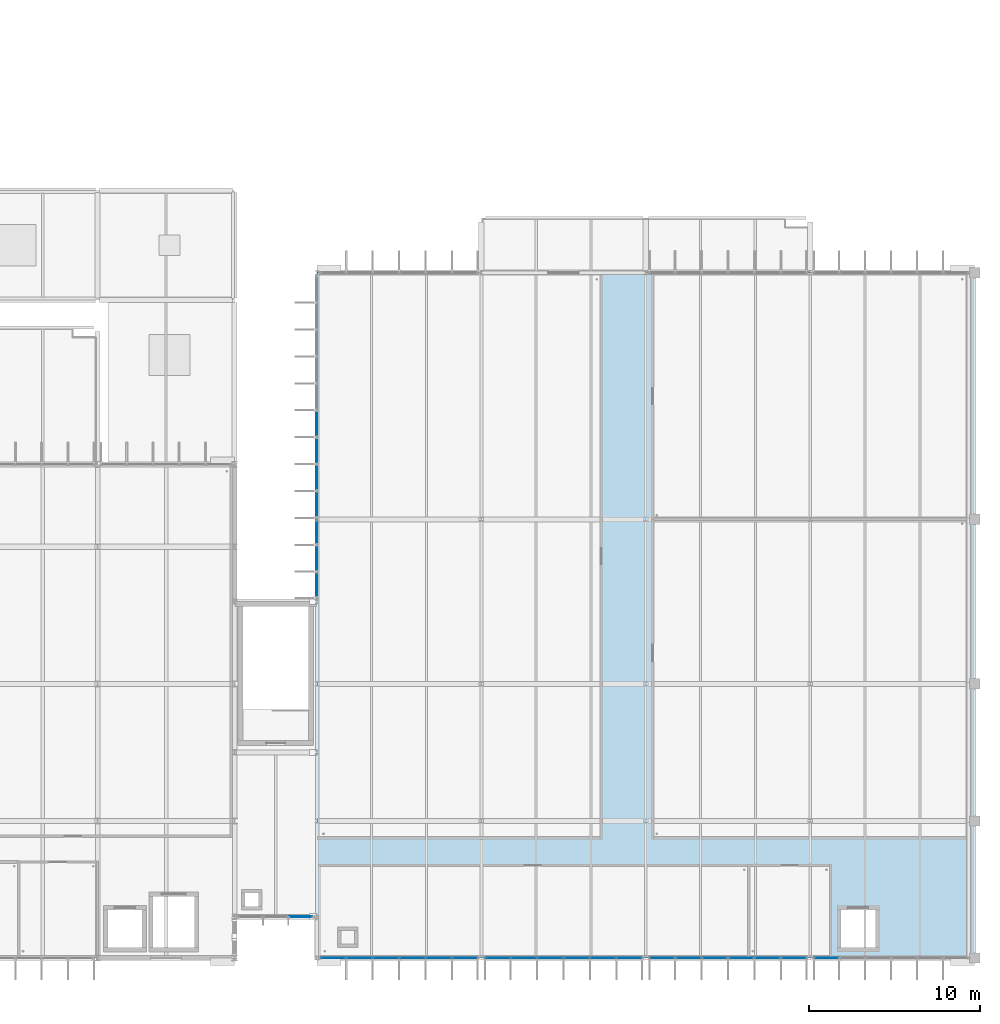
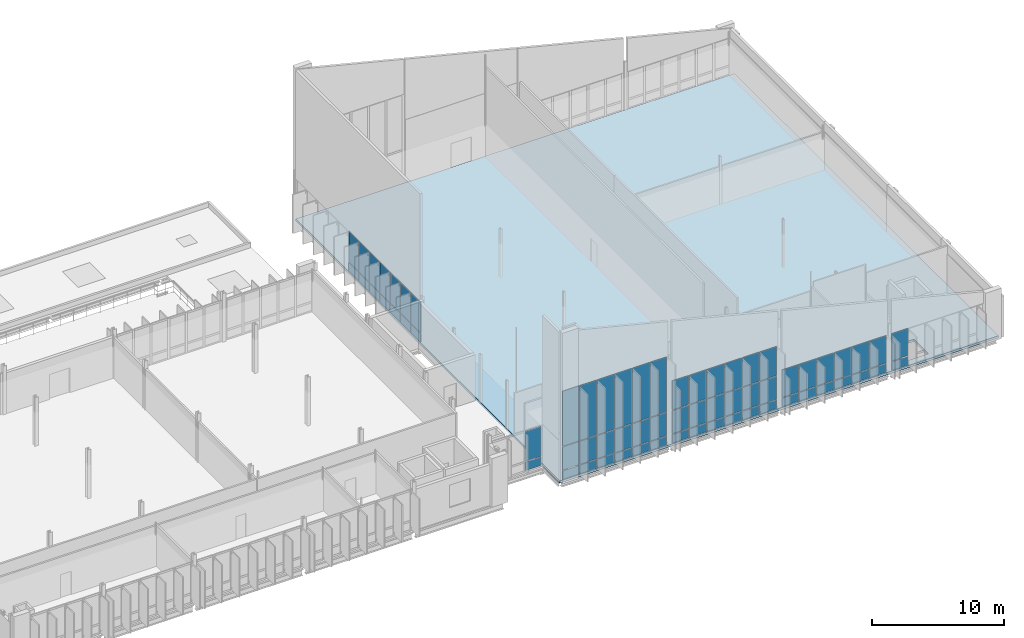
# One storey, part 57 of 110: 66 plates, 1 slab, 6 elements without a shape of their own.
"""IFC4 building model written with IfcOpenShell, lengths in metres."""

import ifcopenshell
import ifcopenshell.guid

model = None  # the IFC model being written
_history = None  # IfcOwnerHistory: only IFC2X3 demands one
_inside = {}  # id of a spatial element -> (the spatial element, [elements in it])
_under = {}  # id of a project, library or spatial element -> (it, [spatial elements below it])
_declared = {}  # id of a project -> (the project, [libraries it declares])
_typed = {}  # id of a type object -> (the type object, [elements of that type])
_made_of = {}  # id of a material, layer set ... -> (it, [elements and type objects made of it])


def new_model(schema):
    """Start an empty IFC model of exactly this schema.

    Asked for "IFC4X3", IfcOpenShell would pick the latest addendum, in which some entities
    have other attributes; the version numbers below select the first issue.
    IFC2X3 requires an IfcOwnerHistory on every rooted entity: one is made here for all.
    """
    global model, _history
    if schema == "IFC4X3":
        model = ifcopenshell.file(schema_version=(4, 3, 0, 0))
    else:
        model = ifcopenshell.file(schema=schema)
    _inside.clear()
    _under.clear()
    _declared.clear()
    _typed.clear()
    _made_of.clear()
    _history = None
    if model.schema == "IFC2X3":
        org = make("IfcOrganization", Name="unknown")
        user = make(
            "IfcPersonAndOrganization",
            ThePerson=make("IfcPerson", FamilyName="unknown"),
            TheOrganization=org,
        )
        app = make(
            "IfcApplication",
            ApplicationDeveloper=org,
            Version="unknown",
            ApplicationFullName="unknown",
            ApplicationIdentifier="unknown",
        )
        _history = make(
            "IfcOwnerHistory",
            OwningUser=user,
            OwningApplication=app,
            ChangeAction="ADDED",
            CreationDate=0,
        )
    return model


def make(cls, **values):
    """One entity of the class cls with the attributes given. An attribute that is None is left unset."""
    return model.create_entity(
        cls, **{name: value for name, value in values.items() if value is not None}
    )


def rooted(cls, **values):
    """An entity with a GlobalId (a new one), such as an element, a storey or a relation."""
    return make(cls, GlobalId=ifcopenshell.guid.new(), OwnerHistory=_history, **values)


def si_unit(unit_type, name, prefix=None):
    """IfcSIUnit, for example si_unit("LENGTHUNIT", "METRE", prefix="MILLI")."""
    return make("IfcSIUnit", UnitType=unit_type, Prefix=prefix, Name=name)


def assignment(units):
    """IfcUnitAssignment: the units of a project."""
    return None if units is None else make("IfcUnitAssignment", Units=units)


def point(xyz):
    """IfcCartesianPoint."""
    return None if xyz is None else make("IfcCartesianPoint", Coordinates=xyz)


def direction(xyz):
    """IfcDirection."""
    return None if xyz is None else make("IfcDirection", DirectionRatios=xyz)


def frame(location, z_axis=None, x_axis=None):
    """IfcAxis2Placement3D, a coordinate frame: its origin and axes. An axis left out is left unset."""
    return make(
        "IfcAxis2Placement3D",
        Location=point(location),
        Axis=direction(z_axis),
        RefDirection=direction(x_axis),
    )


def frame_2d(location, x_axis=None):
    """IfcAxis2Placement2D, a coordinate frame in the plane: its origin and x axis."""
    return make(
        "IfcAxis2Placement2D", Location=point(location), RefDirection=direction(x_axis)
    )


def origin():
    """The frame at (0, 0, 0) with its axes left unset."""
    return frame((0.0, 0.0, 0.0))


def origin_2d():
    """The frame at (0, 0) in the plane with its x axis left unset."""
    return frame_2d((0.0, 0.0))


def place(relative_to, where):
    """IfcLocalPlacement: puts the frame where relative to a parent placement (None: the world)."""
    return make(
        "IfcLocalPlacement", PlacementRelTo=relative_to, RelativePlacement=where
    )


def context(
    kind, dimensions, precision=None, world=None, true_north=None, identifier=None
):
    """IfcGeometricRepresentationContext, for example the 3D "Model" context."""
    return make(
        "IfcGeometricRepresentationContext",
        ContextIdentifier=identifier,
        ContextType=kind,
        CoordinateSpaceDimension=dimensions,
        Precision=precision,
        WorldCoordinateSystem=world,
        TrueNorth=true_north,
    )


def subcontext(parent, identifier, kind, view, scale=None):
    """IfcGeometricRepresentationSubContext, for example "Body" below "Model"."""
    return make(
        "IfcGeometricRepresentationSubContext",
        ContextIdentifier=identifier,
        ContextType=kind,
        ParentContext=parent,
        TargetScale=scale,
        TargetView=view,
    )


def project(units=None, contexts=None):
    """IfcProject with its units and contexts."""
    return rooted(
        "IfcProject",
        Name="project",
        RepresentationContexts=contexts,
        UnitsInContext=assignment(units),
    )


def spatial(cls, under=None, at=None, **own):
    """A site, building, storey or space (cls), placed at a placement, below another one or the project."""
    s = rooted(cls, ObjectPlacement=at, **own)
    if under is not None:
        _under.setdefault(under.id(), (under, []))[1].append(s)
    return s


def polyline(points):
    """IfcPolyline through the points."""
    return make("IfcPolyline", Points=[point(p) for p in points])


def profile(cls, at=None, kind="AREA", **sizes):
    """A parametric profile (cls). Its sizes go by their IFC names, for example OverallWidth=200.0."""
    return make(cls, ProfileType=kind, Position=at, **sizes)


def rectangle(**sizes):
    """IfcRectangleProfileDef."""
    return profile("IfcRectangleProfileDef", **sizes)


def outline(outer, holes=None, kind="AREA"):
    """IfcArbitraryClosedProfileDef: a profile drawn as a closed curve; with holes, ...WithVoids."""
    if holes is None:
        return make("IfcArbitraryClosedProfileDef", ProfileType=kind, OuterCurve=outer)
    return make(
        "IfcArbitraryProfileDefWithVoids",
        ProfileType=kind,
        OuterCurve=outer,
        InnerCurves=holes,
    )


def extrude(swept, where, along, depth):
    """IfcExtrudedAreaSolid: the profile swept, set in the frame where, extruded along a direction by depth."""
    return make(
        "IfcExtrudedAreaSolid",
        SweptArea=swept,
        Position=where,
        ExtrudedDirection=direction(along),
        Depth=depth,
    )


def shape(context_of_items, identifier, shape_type, items):
    """IfcShapeRepresentation: the items that make up one representation, for example the "Body"."""
    return make(
        "IfcShapeRepresentation",
        ContextOfItems=context_of_items,
        RepresentationIdentifier=identifier,
        RepresentationType=shape_type,
        Items=items,
    )


def material(Name=None, Category=None):
    """IfcMaterial."""
    return make("IfcMaterial", Name=Name, Category=Category)


def layer(
    of_material, thickness, ventilated=None, Name=None, Category=None, Priority=None
):
    """IfcMaterialLayer: one layer of a wall or slab, of a material (None: an air gap)."""
    return make(
        "IfcMaterialLayer",
        Material=of_material,
        LayerThickness=thickness,
        IsVentilated=ventilated,
        Name=Name,
        Category=Category,
        Priority=Priority,
    )


def layer_set(layers, Name=None):
    """IfcMaterialLayerSet."""
    return make("IfcMaterialLayerSet", MaterialLayers=layers, LayerSetName=Name)


def made_of(thing, what):
    """Note that an element or type object is made of a material, layer set ...; save() writes the relation."""
    if what is not None:
        _made_of.setdefault(what.id(), (what, []))[1].append(thing)
    return thing


def type_object(cls, material=None, **own):
    """A type object (cls), such as IfcWallType, which elements share."""
    return made_of(rooted(cls, **own), material)


def element(
    cls,
    number,
    at=None,
    inside=None,
    cuts=None,
    type_object=None,
    material=None,
    context=None,
    identifier="Body",
    shape_type=None,
    held_by="IfcProductDefinitionShape",
    body=None,
    shapes=None,
    **own,
):
    """One element of the class cls, such as IfcWall. Its Tag is "e" and its number.

    at: its placement. inside: the storey or other place that contains it. cuts: it is an
    opening in that element (IfcRelVoidsElement). A single representation is given by context,
    identifier, shape_type and body (its items); several are given by shapes. held_by: the class
    of the entity that holds the representations. save() writes the other relations.
    """
    e = rooted(cls, Tag="e%d" % number, ObjectPlacement=at, **own)
    if body is not None:
        shapes = [shape(context, identifier, shape_type, body)]
    if shapes is not None:
        e.Representation = make(held_by, Representations=shapes)
    if inside is not None:
        _inside.setdefault(inside.id(), (inside, []))[1].append(e)
    if cuts is not None:
        rooted(
            "IfcRelVoidsElement", RelatingBuildingElement=cuts, RelatedOpeningElement=e
        )
    if type_object is not None:
        _typed.setdefault(type_object.id(), (type_object, []))[1].append(e)
    return made_of(e, material)


def aggregate(whole, parts):
    """IfcRelAggregates: a whole, such as a stair, and the parts it consists of."""
    return rooted("IfcRelAggregates", RelatingObject=whole, RelatedObjects=parts)


def save(model, path):
    """Write the relations noted so far, then the file.

    IfcRelAggregates (storeys below a building ...), IfcRelContainedInSpatialStructure (elements
    in a storey), IfcRelDefinesByType, IfcRelAssociatesMaterial and IfcRelDeclares: one each for
    every whole, place, type object, material and project.
    """
    for whole, parts in _under.values():
        aggregate(whole, parts)
    for where, things in _inside.values():
        rooted(
            "IfcRelContainedInSpatialStructure",
            RelatedElements=things,
            RelatingStructure=where,
        )
    for kind, things in _typed.values():
        rooted("IfcRelDefinesByType", RelatedObjects=things, RelatingType=kind)
    for what, things in _made_of.values():
        rooted("IfcRelAssociatesMaterial", RelatedObjects=things, RelatingMaterial=what)
    for by, libraries in _declared.values():
        rooted("IfcRelDeclares", RelatingContext=by, RelatedDefinitions=libraries)
    model.write(path)


model = new_model("IFC4")

# Units and contexts
model_context = context("Model", 3, precision=1e-05, world=origin(), true_north=direction((0.0, 1.0)))
body_context = subcontext(model_context, "Body", "Model", "MODEL_VIEW")
ifc_project = project(units=[si_unit("LENGTHUNIT", "METRE"), si_unit("AREAUNIT", "SQUARE_METRE"), si_unit("VOLUMEUNIT", "CUBIC_METRE"), si_unit("PLANEANGLEUNIT", "RADIAN"), si_unit("MASSUNIT", "GRAM", prefix="KILO")], contexts=[model_context])

# Site, building, storey
site_placement = place(None, origin())
site = spatial("IfcSite", under=ifc_project, at=site_placement, CompositionType="ELEMENT")
building_placement = place(site_placement, origin())
building = spatial("IfcBuilding", under=site, at=building_placement, Name="Dunescarp Central Library", CompositionType="ELEMENT")
storey_placement = place(building_placement, frame((0.0, 0.0, 9.60009765625)))
storey = spatial("IfcBuildingStorey", under=building, at=storey_placement, Name="L02", CompositionType="ELEMENT", Elevation=9.60009765625)

# Curtain wall, plates
ifc_material_1 = material(Name="Marine-grade anodised aluminium 6063-T6", Category="aluminium")
curtain_wall_type_1 = type_object("IfcCurtainWallType", Name="ARC-CW-STICK", PredefinedType="NOTDEFINED", material=ifc_material_1)
curtain_wall_1_placement = place(storey_placement, origin())
curtain_wall_1 = element("IfcCurtainWall", 1, at=curtain_wall_1_placement, inside=storey, type_object=curtain_wall_type_1, Name="L02 curtain wall CW-V5-162", PredefinedType="NOTDEFINED")
ifc_material_2 = material(Name="Solar-control laminated double glazing", Category="glass")
ifc_layer_1 = layer(ifc_material_2, 0.028076171875)
ifc_layer_set_1 = layer_set([ifc_layer_1], Name="Solar-control laminated double glazing")
plate_type_1 = type_object("IfcPlateType", Name="ARC-PLT-GLZ28", PredefinedType="CURTAIN_PANEL", material=ifc_layer_set_1)
plate_1_placement = place(storey_placement, frame((138.234130859375, 4.800048828125, 0.93994140625), z_axis=(0.0, 0.0, 1.0), x_axis=(-1.0, 0.0, 0.0)))
plate_1 = element("IfcPlate", 2, at=plate_1_placement, type_object=plate_type_1, Name="CW-V5-162 panel 1.2", PredefinedType="CURTAIN_PANEL", context=body_context, shape_type="SweptSolid", body=[
    extrude(rectangle(XDim=1.421630859375, YDim=0.028076171875, at=origin_2d()), origin(), (0.0, 0.0, 1.0), 2.1201171875),
])
plate_2_placement = place(storey_placement, frame((138.234130859375, 4.800048828125, 3.139892578125), z_axis=(0.0, 0.0, 1.0), x_axis=(-1.0, 0.0, 0.0)))
plate_2 = element("IfcPlate", 3, at=plate_2_placement, type_object=plate_type_1, Name="CW-V5-162 panel 1.3", PredefinedType="CURTAIN_PANEL", context=body_context, shape_type="SweptSolid", body=[
    extrude(rectangle(XDim=1.421630859375, YDim=0.028076171875, at=origin_2d()), origin(), (0.0, 0.0, 1.0), 5.080078125),
])
plate_3_placement = place(storey_placement, frame((136.71240234375, 4.800048828125, 0.93994140625), z_axis=(0.0, 0.0, 1.0), x_axis=(-1.0, 0.0, 0.0)))
plate_3 = element("IfcPlate", 4, at=plate_3_placement, type_object=plate_type_1, Name="CW-V5-162 panel 2.2", PredefinedType="CURTAIN_PANEL", context=body_context, shape_type="SweptSolid", body=[
    extrude(rectangle(XDim=1.461669921875, YDim=0.028076171875, at=origin_2d()), origin(), (0.0, 0.0, 1.0), 2.1201171875),
])
plate_4_placement = place(storey_placement, frame((136.71240234375, 4.800048828125, 3.139892578125), z_axis=(0.0, 0.0, 1.0), x_axis=(-1.0, 0.0, 0.0)))
plate_4 = element("IfcPlate", 5, at=plate_4_placement, type_object=plate_type_1, Name="CW-V5-162 panel 2.3", PredefinedType="CURTAIN_PANEL", context=body_context, shape_type="SweptSolid", body=[
    extrude(rectangle(XDim=1.461669921875, YDim=0.028076171875, at=origin_2d()), origin(), (0.0, 0.0, 1.0), 5.080078125),
])
plate_5_placement = place(storey_placement, frame((135.1708984375, 4.800048828125, 0.93994140625), z_axis=(0.0, 0.0, 1.0), x_axis=(-1.0, 0.0, 0.0)))
plate_5 = element("IfcPlate", 6, at=plate_5_placement, type_object=plate_type_1, Name="CW-V5-162 panel 3.2", PredefinedType="CURTAIN_PANEL", context=body_context, shape_type="SweptSolid", body=[
    extrude(rectangle(XDim=1.461669921875, YDim=0.028076171875, at=origin_2d()), origin(), (0.0, 0.0, 1.0), 2.1201171875),
])
plate_6_placement = place(storey_placement, frame((135.1708984375, 4.800048828125, 3.139892578125), z_axis=(0.0, 0.0, 1.0), x_axis=(-1.0, 0.0, 0.0)))
plate_6 = element("IfcPlate", 7, at=plate_6_placement, type_object=plate_type_1, Name="CW-V5-162 panel 3.3", PredefinedType="CURTAIN_PANEL", context=body_context, shape_type="SweptSolid", body=[
    extrude(rectangle(XDim=1.461669921875, YDim=0.028076171875, at=origin_2d()), origin(), (0.0, 0.0, 1.0), 5.080078125),
])
plate_7_placement = place(storey_placement, frame((133.629150390625, 4.800048828125, 0.93994140625), z_axis=(0.0, 0.0, 1.0), x_axis=(-1.0, 0.0, 0.0)))
plate_7 = element("IfcPlate", 8, at=plate_7_placement, type_object=plate_type_1, Name="CW-V5-162 panel 4.2", PredefinedType="CURTAIN_PANEL", context=body_context, shape_type="SweptSolid", body=[
    extrude(rectangle(XDim=1.461669921875, YDim=0.028076171875, at=origin_2d()), origin(), (0.0, 0.0, 1.0), 2.1201171875),
])
plate_8_placement = place(storey_placement, frame((133.629150390625, 4.800048828125, 3.139892578125), z_axis=(0.0, 0.0, 1.0), x_axis=(-1.0, 0.0, 0.0)))
plate_8 = element("IfcPlate", 9, at=plate_8_placement, type_object=plate_type_1, Name="CW-V5-162 panel 4.3", PredefinedType="CURTAIN_PANEL", context=body_context, shape_type="SweptSolid", body=[
    extrude(rectangle(XDim=1.461669921875, YDim=0.028076171875, at=origin_2d()), origin(), (0.0, 0.0, 1.0), 5.080078125),
])
plate_9_placement = place(storey_placement, frame((132.08740234375, 4.800048828125, 0.93994140625), z_axis=(0.0, 0.0, 1.0), x_axis=(-1.0, 0.0, 0.0)))
plate_9 = element("IfcPlate", 10, at=plate_9_placement, type_object=plate_type_1, Name="CW-V5-162 panel 5.2", PredefinedType="CURTAIN_PANEL", context=body_context, shape_type="SweptSolid", body=[
    extrude(rectangle(XDim=1.461669921875, YDim=0.028076171875, at=origin_2d()), origin(), (0.0, 0.0, 1.0), 2.1201171875),
])
plate_10_placement = place(storey_placement, frame((132.08740234375, 4.800048828125, 3.139892578125), z_axis=(0.0, 0.0, 1.0), x_axis=(-1.0, 0.0, 0.0)))
plate_10 = element("IfcPlate", 11, at=plate_10_placement, type_object=plate_type_1, Name="CW-V5-162 panel 5.3", PredefinedType="CURTAIN_PANEL", context=body_context, shape_type="SweptSolid", body=[
    extrude(rectangle(XDim=1.461669921875, YDim=0.028076171875, at=origin_2d()), origin(), (0.0, 0.0, 1.0), 5.080078125),
])
plate_11_placement = place(storey_placement, frame((130.56591796875, 4.800048828125, 0.93994140625), z_axis=(0.0, 0.0, 1.0), x_axis=(-1.0, 0.0, 0.0)))
plate_11 = element("IfcPlate", 12, at=plate_11_placement, type_object=plate_type_1, Name="CW-V5-162 panel 6.2", PredefinedType="CURTAIN_PANEL", context=body_context, shape_type="SweptSolid", body=[
    extrude(rectangle(XDim=1.421630859375, YDim=0.028076171875, at=origin_2d()), origin(), (0.0, 0.0, 1.0), 2.1201171875),
])
plate_12_placement = place(storey_placement, frame((130.56591796875, 4.800048828125, 3.139892578125), z_axis=(0.0, 0.0, 1.0), x_axis=(-1.0, 0.0, 0.0)))
plate_12 = element("IfcPlate", 13, at=plate_12_placement, type_object=plate_type_1, Name="CW-V5-162 panel 6.3", PredefinedType="CURTAIN_PANEL", context=body_context, shape_type="SweptSolid", body=[
    extrude(rectangle(XDim=1.421630859375, YDim=0.028076171875, at=origin_2d()), origin(), (0.0, 0.0, 1.0), 5.080078125),
])

curtain_wall_2_placement = place(storey_placement, origin())
curtain_wall_2 = element("IfcCurtainWall", 14, at=curtain_wall_2_placement, inside=storey, type_object=curtain_wall_type_1, Name="L02 curtain wall CW-V5-163", PredefinedType="NOTDEFINED")
plate_13_placement = place(storey_placement, frame((147.834228515625, 4.800048828125, 0.93994140625), z_axis=(0.0, 0.0, 1.0), x_axis=(-1.0, 0.0, 0.0)))
plate_13 = element("IfcPlate", 15, at=plate_13_placement, type_object=plate_type_1, Name="CW-V5-163 panel 1.2", PredefinedType="CURTAIN_PANEL", context=body_context, shape_type="SweptSolid", body=[
    extrude(rectangle(XDim=1.421630859375, YDim=0.028076171875, at=origin_2d()), origin(), (0.0, 0.0, 1.0), 2.1201171875),
])
plate_14_placement = place(storey_placement, frame((147.834228515625, 4.800048828125, 3.14013671875), z_axis=(0.0, 0.0, 1.0), x_axis=(-1.0, 0.0, 0.0)))
plate_14 = element("IfcPlate", 16, at=plate_14_placement, type_object=plate_type_1, Name="CW-V5-163 panel 1.3", PredefinedType="CURTAIN_PANEL", context=body_context, shape_type="SweptSolid", body=[
    extrude(rectangle(XDim=1.421630859375, YDim=0.028076171875, at=origin_2d()), origin(), (0.0, 0.0, 1.0), 2.679931640625),
])
plate_15_placement = place(storey_placement, frame((146.3125, 4.800048828125, 0.93994140625), z_axis=(0.0, 0.0, 1.0), x_axis=(-1.0, 0.0, 0.0)))
plate_15 = element("IfcPlate", 17, at=plate_15_placement, type_object=plate_type_1, Name="CW-V5-163 panel 2.2", PredefinedType="CURTAIN_PANEL", context=body_context, shape_type="SweptSolid", body=[
    extrude(rectangle(XDim=1.461669921875, YDim=0.028076171875, at=origin_2d()), origin(), (0.0, 0.0, 1.0), 2.1201171875),
])
plate_16_placement = place(storey_placement, frame((146.3125, 4.800048828125, 3.14013671875), z_axis=(0.0, 0.0, 1.0), x_axis=(-1.0, 0.0, 0.0)))
plate_16 = element("IfcPlate", 18, at=plate_16_placement, type_object=plate_type_1, Name="CW-V5-163 panel 2.3", PredefinedType="CURTAIN_PANEL", context=body_context, shape_type="SweptSolid", body=[
    extrude(rectangle(XDim=1.461669921875, YDim=0.028076171875, at=origin_2d()), origin(), (0.0, 0.0, 1.0), 2.679931640625),
])
plate_17_placement = place(storey_placement, frame((144.770751953125, 4.800048828125, 0.93994140625), z_axis=(0.0, 0.0, 1.0), x_axis=(-1.0, 0.0, 0.0)))
plate_17 = element("IfcPlate", 19, at=plate_17_placement, type_object=plate_type_1, Name="CW-V5-163 panel 3.2", PredefinedType="CURTAIN_PANEL", context=body_context, shape_type="SweptSolid", body=[
    extrude(rectangle(XDim=1.461669921875, YDim=0.028076171875, at=origin_2d()), origin(), (0.0, 0.0, 1.0), 2.1201171875),
])
plate_18_placement = place(storey_placement, frame((144.770751953125, 4.800048828125, 3.14013671875), z_axis=(0.0, 0.0, 1.0), x_axis=(-1.0, 0.0, 0.0)))
plate_18 = element("IfcPlate", 20, at=plate_18_placement, type_object=plate_type_1, Name="CW-V5-163 panel 3.3", PredefinedType="CURTAIN_PANEL", context=body_context, shape_type="SweptSolid", body=[
    extrude(rectangle(XDim=1.461669921875, YDim=0.028076171875, at=origin_2d()), origin(), (0.0, 0.0, 1.0), 2.679931640625),
])
plate_19_placement = place(storey_placement, frame((143.229248046875, 4.800048828125, 0.93994140625), z_axis=(0.0, 0.0, 1.0), x_axis=(-1.0, 0.0, 0.0)))
plate_19 = element("IfcPlate", 21, at=plate_19_placement, type_object=plate_type_1, Name="CW-V5-163 panel 4.2", PredefinedType="CURTAIN_PANEL", context=body_context, shape_type="SweptSolid", body=[
    extrude(rectangle(XDim=1.461669921875, YDim=0.028076171875, at=origin_2d()), origin(), (0.0, 0.0, 1.0), 2.1201171875),
])
plate_20_placement = place(storey_placement, frame((143.229248046875, 4.800048828125, 3.14013671875), z_axis=(0.0, 0.0, 1.0), x_axis=(-1.0, 0.0, 0.0)))
plate_20 = element("IfcPlate", 22, at=plate_20_placement, type_object=plate_type_1, Name="CW-V5-163 panel 4.3", PredefinedType="CURTAIN_PANEL", context=body_context, shape_type="SweptSolid", body=[
    extrude(rectangle(XDim=1.461669921875, YDim=0.028076171875, at=origin_2d()), origin(), (0.0, 0.0, 1.0), 2.679931640625),
])
plate_21_placement = place(storey_placement, frame((141.6875, 4.800048828125, 0.93994140625), z_axis=(0.0, 0.0, 1.0), x_axis=(-1.0, 0.0, 0.0)))
plate_21 = element("IfcPlate", 23, at=plate_21_placement, type_object=plate_type_1, Name="CW-V5-163 panel 5.2", PredefinedType="CURTAIN_PANEL", context=body_context, shape_type="SweptSolid", body=[
    extrude(rectangle(XDim=1.461669921875, YDim=0.028076171875, at=origin_2d()), origin(), (0.0, 0.0, 1.0), 2.1201171875),
])
plate_22_placement = place(storey_placement, frame((141.6875, 4.800048828125, 3.14013671875), z_axis=(0.0, 0.0, 1.0), x_axis=(-1.0, 0.0, 0.0)))
plate_22 = element("IfcPlate", 24, at=plate_22_placement, type_object=plate_type_1, Name="CW-V5-163 panel 5.3", PredefinedType="CURTAIN_PANEL", context=body_context, shape_type="SweptSolid", body=[
    extrude(rectangle(XDim=1.461669921875, YDim=0.028076171875, at=origin_2d()), origin(), (0.0, 0.0, 1.0), 2.679931640625),
])
plate_23_placement = place(storey_placement, frame((140.165771484375, 4.800048828125, 0.93994140625), z_axis=(0.0, 0.0, 1.0), x_axis=(-1.0, 0.0, 0.0)))
plate_23 = element("IfcPlate", 25, at=plate_23_placement, type_object=plate_type_1, Name="CW-V5-163 panel 6.2", PredefinedType="CURTAIN_PANEL", context=body_context, shape_type="SweptSolid", body=[
    extrude(rectangle(XDim=1.421630859375, YDim=0.028076171875, at=origin_2d()), origin(), (0.0, 0.0, 1.0), 2.1201171875),
])
plate_24_placement = place(storey_placement, frame((140.165771484375, 4.800048828125, 3.14013671875), z_axis=(0.0, 0.0, 1.0), x_axis=(-1.0, 0.0, 0.0)))
plate_24 = element("IfcPlate", 26, at=plate_24_placement, type_object=plate_type_1, Name="CW-V5-163 panel 6.3", PredefinedType="CURTAIN_PANEL", context=body_context, shape_type="SweptSolid", body=[
    extrude(rectangle(XDim=1.421630859375, YDim=0.028076171875, at=origin_2d()), origin(), (0.0, 0.0, 1.0), 2.679931640625),
])

curtain_wall_3_placement = place(storey_placement, origin())
curtain_wall_3 = element("IfcCurtainWall", 27, at=curtain_wall_3_placement, inside=storey, type_object=curtain_wall_type_1, Name="L02 curtain wall CW-V5-164", PredefinedType="NOTDEFINED")
plate_25_placement = place(storey_placement, frame((157.43408203125, 4.800048828125, 0.93994140625), z_axis=(0.0, 0.0, 1.0), x_axis=(-1.0, 0.0, 0.0)))
plate_25 = element("IfcPlate", 28, at=plate_25_placement, type_object=plate_type_1, Name="CW-V5-164 panel 1.2", PredefinedType="CURTAIN_PANEL", context=body_context, shape_type="SweptSolid", body=[
    extrude(rectangle(XDim=1.421630859375, YDim=0.028076171875, at=origin_2d()), origin(), (0.0, 0.0, 1.0), 2.530029296875),
])
plate_26_placement = place(storey_placement, frame((155.91259765625, 4.800048828125, 0.93994140625), z_axis=(0.0, 0.0, 1.0), x_axis=(-1.0, 0.0, 0.0)))
plate_26 = element("IfcPlate", 29, at=plate_26_placement, type_object=plate_type_1, Name="CW-V5-164 panel 2.2", PredefinedType="CURTAIN_PANEL", context=body_context, shape_type="SweptSolid", body=[
    extrude(rectangle(XDim=1.461669921875, YDim=0.028076171875, at=origin_2d()), origin(), (0.0, 0.0, 1.0), 2.530029296875),
])
plate_27_placement = place(storey_placement, frame((154.370849609375, 4.800048828125, 0.93994140625), z_axis=(0.0, 0.0, 1.0), x_axis=(-1.0, 0.0, 0.0)))
plate_27 = element("IfcPlate", 30, at=plate_27_placement, type_object=plate_type_1, Name="CW-V5-164 panel 3.2", PredefinedType="CURTAIN_PANEL", context=body_context, shape_type="SweptSolid", body=[
    extrude(rectangle(XDim=1.461669921875, YDim=0.028076171875, at=origin_2d()), origin(), (0.0, 0.0, 1.0), 2.530029296875),
])
plate_28_placement = place(storey_placement, frame((152.8291015625, 4.800048828125, 0.93994140625), z_axis=(0.0, 0.0, 1.0), x_axis=(-1.0, 0.0, 0.0)))
plate_28 = element("IfcPlate", 31, at=plate_28_placement, type_object=plate_type_1, Name="CW-V5-164 panel 4.2", PredefinedType="CURTAIN_PANEL", context=body_context, shape_type="SweptSolid", body=[
    extrude(rectangle(XDim=1.461669921875, YDim=0.028076171875, at=origin_2d()), origin(), (0.0, 0.0, 1.0), 2.530029296875),
])
plate_29_placement = place(storey_placement, frame((151.28759765625, 4.800048828125, 0.93994140625), z_axis=(0.0, 0.0, 1.0), x_axis=(-1.0, 0.0, 0.0)))
plate_29 = element("IfcPlate", 32, at=plate_29_placement, type_object=plate_type_1, Name="CW-V5-164 panel 5.2", PredefinedType="CURTAIN_PANEL", context=body_context, shape_type="SweptSolid", body=[
    extrude(rectangle(XDim=1.461669921875, YDim=0.028076171875, at=origin_2d()), origin(), (0.0, 0.0, 1.0), 2.530029296875),
])
plate_30_placement = place(storey_placement, frame((149.765869140625, 4.800048828125, 0.93994140625), z_axis=(0.0, 0.0, 1.0), x_axis=(-1.0, 0.0, 0.0)))
plate_30 = element("IfcPlate", 33, at=plate_30_placement, type_object=plate_type_1, Name="CW-V5-164 panel 6.2", PredefinedType="CURTAIN_PANEL", context=body_context, shape_type="SweptSolid", body=[
    extrude(rectangle(XDim=1.421630859375, YDim=0.028076171875, at=origin_2d()), origin(), (0.0, 0.0, 1.0), 2.530029296875),
])

# Curtain wall, plate
curtain_wall_4_placement = place(storey_placement, origin())
curtain_wall_4 = element("IfcCurtainWall", 34, at=curtain_wall_4_placement, inside=storey, type_object=curtain_wall_type_1, Name="L02 curtain wall CW-V5-165", PredefinedType="NOTDEFINED")
plate_31_placement = place(storey_placement, frame((159.3525390625, 4.800048828125, 0.93994140625), z_axis=(0.0, 0.0, 1.0), x_axis=(-1.0, 0.0, 0.0)))
plate_31 = element("IfcPlate", 35, at=plate_31_placement, type_object=plate_type_1, Name="CW-V5-165 panel 6.2", PredefinedType="CURTAIN_PANEL", context=body_context, shape_type="SweptSolid", body=[
    extrude(rectangle(XDim=1.39501953125, YDim=0.028076171875, at=origin_2d()), origin(), (0.0, 0.0, 1.0), 2.530029296875),
])

# Curtain wall, plates
curtain_wall_5_placement = place(storey_placement, origin())
curtain_wall_5 = element("IfcCurtainWall", 36, at=curtain_wall_5_placement, inside=storey, type_object=curtain_wall_type_1, Name="L02 curtain wall CW-V5-169", PredefinedType="NOTDEFINED")
plate_32_placement = place(storey_placement, frame((129.60009765625, 26.580322265625, 0.93994140625), z_axis=(0.0, 0.0, 1.0), x_axis=(0.0, 1.0, 0.0)))
plate_32 = element("IfcPlate", 37, at=plate_32_placement, type_object=plate_type_1, Name="CW-V5-169 panel 1.2", PredefinedType="CURTAIN_PANEL", context=body_context, shape_type="SweptSolid", body=[
    extrude(rectangle(XDim=1.450927734375, YDim=0.028076171875, at=origin_2d()), origin(), (0.0, 0.0, 1.0), 2.824951171875),
])
plate_33_placement = place(storey_placement, frame((129.60009765625, 28.13134765625, 0.93994140625), z_axis=(0.0, 0.0, 1.0), x_axis=(0.0, 1.0, 0.0)))
plate_33 = element("IfcPlate", 38, at=plate_33_placement, type_object=plate_type_1, Name="CW-V5-169 panel 2.2", PredefinedType="CURTAIN_PANEL", context=body_context, shape_type="SweptSolid", body=[
    extrude(rectangle(XDim=1.49072265625, YDim=0.028076171875, at=origin_2d()), origin(), (0.0, 0.0, 1.0), 2.824951171875),
])
plate_34_placement = place(storey_placement, frame((129.60009765625, 29.7021484375, 0.93994140625), z_axis=(0.0, 0.0, 1.0), x_axis=(0.0, 1.0, 0.0)))
plate_34 = element("IfcPlate", 39, at=plate_34_placement, type_object=plate_type_1, Name="CW-V5-169 panel 3.2", PredefinedType="CURTAIN_PANEL", context=body_context, shape_type="SweptSolid", body=[
    extrude(rectangle(XDim=1.49072265625, YDim=0.028076171875, at=origin_2d()), origin(), (0.0, 0.0, 1.0), 2.824951171875),
])
plate_35_placement = place(storey_placement, frame((129.60009765625, 31.27294921875, 0.93994140625), z_axis=(0.0, 0.0, 1.0), x_axis=(0.0, 1.0, 0.0)))
plate_35 = element("IfcPlate", 40, at=plate_35_placement, type_object=plate_type_1, Name="CW-V5-169 panel 4.2", PredefinedType="CURTAIN_PANEL", context=body_context, shape_type="SweptSolid", body=[
    extrude(rectangle(XDim=1.49072265625, YDim=0.028076171875, at=origin_2d()), origin(), (0.0, 0.0, 1.0), 2.824951171875),
])
plate_36_placement = place(storey_placement, frame((129.60009765625, 32.84375, 0.93994140625), z_axis=(0.0, 0.0, 1.0), x_axis=(0.0, 1.0, 0.0)))
plate_36 = element("IfcPlate", 41, at=plate_36_placement, type_object=plate_type_1, Name="CW-V5-169 panel 5.2", PredefinedType="CURTAIN_PANEL", context=body_context, shape_type="SweptSolid", body=[
    extrude(rectangle(XDim=1.49072265625, YDim=0.028076171875, at=origin_2d()), origin(), (0.0, 0.0, 1.0), 2.824951171875),
])
plate_37_placement = place(storey_placement, frame((129.60009765625, 34.41455078125, 0.93994140625), z_axis=(0.0, 0.0, 1.0), x_axis=(0.0, 1.0, 0.0)))
plate_37 = element("IfcPlate", 42, at=plate_37_placement, type_object=plate_type_1, Name="CW-V5-169 panel 6.2", PredefinedType="CURTAIN_PANEL", context=body_context, shape_type="SweptSolid", body=[
    extrude(rectangle(XDim=1.49072265625, YDim=0.028076171875, at=origin_2d()), origin(), (0.0, 0.0, 1.0), 2.824951171875),
])
plate_38_placement = place(storey_placement, frame((129.60009765625, 35.9853515625, 0.93994140625), z_axis=(0.0, 0.0, 1.0), x_axis=(0.0, 1.0, 0.0)))
plate_38 = element("IfcPlate", 43, at=plate_38_placement, type_object=plate_type_1, Name="CW-V5-169 panel 7.2", PredefinedType="CURTAIN_PANEL", context=body_context, shape_type="SweptSolid", body=[
    extrude(rectangle(XDim=1.49072265625, YDim=0.028076171875, at=origin_2d()), origin(), (0.0, 0.0, 1.0), 2.824951171875),
])

# Curtain wall, plate
curtain_wall_type_2 = type_object("IfcCurtainWallType", Name="ARC-CW-LINK", PredefinedType="USERDEFINED", material=ifc_material_1)
curtain_wall_6_placement = place(storey_placement, origin())
curtain_wall_6 = element("IfcCurtainWall", 44, at=curtain_wall_6_placement, inside=storey, type_object=curtain_wall_type_2, Name="L02 curtain wall CW-GL3-S-L02", ObjectType="GLAZED_LINK_WALL", PredefinedType="USERDEFINED")
plate_39_placement = place(storey_placement, frame((128.663330078125, 7.199951171875, 0.93994140625), z_axis=(0.0, 0.0, 1.0), x_axis=(-1.0, 0.0, 0.0)))
plate_39 = element("IfcPlate", 45, at=plate_39_placement, type_object=plate_type_1, Name="CW-GL3-S-L02 panel 1.2", PredefinedType="CURTAIN_PANEL", context=body_context, shape_type="SweptSolid", body=[
    extrude(rectangle(XDim=1.36328125, YDim=0.028076171875, at=origin_2d()), origin(), (0.0, 0.0, 1.0), 2.7548828125),
])

# Plate
ifc_layer_2 = layer(ifc_material_1, 0.050048828125)
ifc_layer_set_2 = layer_set([ifc_layer_2], Name="Marine-grade anodised aluminium 6063-T6")
plate_type_2 = type_object("IfcPlateType", Name="ARC-PLT-SPN50", PredefinedType="SHEET", material=ifc_layer_set_2)
plate_40_placement = place(storey_placement, frame((138.234130859375, 4.800048828125, 0.080078125), z_axis=(0.0, 0.0, 1.0), x_axis=(-1.0, 0.0, 0.0)))
plate_40 = element("IfcPlate", 46, at=plate_40_placement, type_object=plate_type_2, Name="CW-V5-162 panel 1.1", PredefinedType="SHEET", context=body_context, shape_type="SweptSolid", body=[
    extrude(rectangle(XDim=1.421630859375, YDim=0.050048828125, at=origin_2d()), origin(), (0.0, 0.0, 1.0), 0.780029296875),
])

plate_41_placement = place(storey_placement, frame((136.71240234375, 4.800048828125, 0.080078125), z_axis=(0.0, 0.0, 1.0), x_axis=(-1.0, 0.0, 0.0)))
plate_41 = element("IfcPlate", 47, at=plate_41_placement, type_object=plate_type_2, Name="CW-V5-162 panel 2.1", PredefinedType="SHEET", context=body_context, shape_type="SweptSolid", body=[
    extrude(rectangle(XDim=1.461669921875, YDim=0.050048828125, at=origin_2d()), origin(), (0.0, 0.0, 1.0), 0.780029296875),
])

plate_42_placement = place(storey_placement, frame((135.1708984375, 4.800048828125, 0.080078125), z_axis=(0.0, 0.0, 1.0), x_axis=(-1.0, 0.0, 0.0)))
plate_42 = element("IfcPlate", 48, at=plate_42_placement, type_object=plate_type_2, Name="CW-V5-162 panel 3.1", PredefinedType="SHEET", context=body_context, shape_type="SweptSolid", body=[
    extrude(rectangle(XDim=1.461669921875, YDim=0.050048828125, at=origin_2d()), origin(), (0.0, 0.0, 1.0), 0.780029296875),
])

plate_43_placement = place(storey_placement, frame((133.629150390625, 4.800048828125, 0.080078125), z_axis=(0.0, 0.0, 1.0), x_axis=(-1.0, 0.0, 0.0)))
plate_43 = element("IfcPlate", 49, at=plate_43_placement, type_object=plate_type_2, Name="CW-V5-162 panel 4.1", PredefinedType="SHEET", context=body_context, shape_type="SweptSolid", body=[
    extrude(rectangle(XDim=1.461669921875, YDim=0.050048828125, at=origin_2d()), origin(), (0.0, 0.0, 1.0), 0.780029296875),
])

plate_44_placement = place(storey_placement, frame((132.08740234375, 4.800048828125, 0.080078125), z_axis=(0.0, 0.0, 1.0), x_axis=(-1.0, 0.0, 0.0)))
plate_44 = element("IfcPlate", 50, at=plate_44_placement, type_object=plate_type_2, Name="CW-V5-162 panel 5.1", PredefinedType="SHEET", context=body_context, shape_type="SweptSolid", body=[
    extrude(rectangle(XDim=1.461669921875, YDim=0.050048828125, at=origin_2d()), origin(), (0.0, 0.0, 1.0), 0.780029296875),
])

plate_45_placement = place(storey_placement, frame((130.56591796875, 4.800048828125, 0.080078125), z_axis=(0.0, 0.0, 1.0), x_axis=(-1.0, 0.0, 0.0)))
plate_45 = element("IfcPlate", 51, at=plate_45_placement, type_object=plate_type_2, Name="CW-V5-162 panel 6.1", PredefinedType="SHEET", context=body_context, shape_type="SweptSolid", body=[
    extrude(rectangle(XDim=1.421630859375, YDim=0.050048828125, at=origin_2d()), origin(), (0.0, 0.0, 1.0), 0.780029296875),
])

aggregate(curtain_wall_1, [plate_40, plate_1, plate_2, plate_41, plate_3, plate_4, plate_42, plate_5, plate_6, plate_43, plate_7, plate_8, plate_44, plate_9, plate_10, plate_45, plate_11, plate_12])

plate_46_placement = place(storey_placement, frame((147.834228515625, 4.800048828125, 0.080078125), z_axis=(0.0, 0.0, 1.0), x_axis=(-1.0, 0.0, 0.0)))
plate_46 = element("IfcPlate", 52, at=plate_46_placement, type_object=plate_type_2, Name="CW-V5-163 panel 1.1", PredefinedType="SHEET", context=body_context, shape_type="SweptSolid", body=[
    extrude(rectangle(XDim=1.421630859375, YDim=0.050048828125, at=origin_2d()), origin(), (0.0, 0.0, 1.0), 0.780029296875),
])

plate_47_placement = place(storey_placement, frame((146.3125, 4.800048828125, 0.080078125), z_axis=(0.0, 0.0, 1.0), x_axis=(-1.0, 0.0, 0.0)))
plate_47 = element("IfcPlate", 53, at=plate_47_placement, type_object=plate_type_2, Name="CW-V5-163 panel 2.1", PredefinedType="SHEET", context=body_context, shape_type="SweptSolid", body=[
    extrude(rectangle(XDim=1.461669921875, YDim=0.050048828125, at=origin_2d()), origin(), (0.0, 0.0, 1.0), 0.780029296875),
])

plate_48_placement = place(storey_placement, frame((144.770751953125, 4.800048828125, 0.080078125), z_axis=(0.0, 0.0, 1.0), x_axis=(-1.0, 0.0, 0.0)))
plate_48 = element("IfcPlate", 54, at=plate_48_placement, type_object=plate_type_2, Name="CW-V5-163 panel 3.1", PredefinedType="SHEET", context=body_context, shape_type="SweptSolid", body=[
    extrude(rectangle(XDim=1.461669921875, YDim=0.050048828125, at=origin_2d()), origin(), (0.0, 0.0, 1.0), 0.780029296875),
])

plate_49_placement = place(storey_placement, frame((143.229248046875, 4.800048828125, 0.080078125), z_axis=(0.0, 0.0, 1.0), x_axis=(-1.0, 0.0, 0.0)))
plate_49 = element("IfcPlate", 55, at=plate_49_placement, type_object=plate_type_2, Name="CW-V5-163 panel 4.1", PredefinedType="SHEET", context=body_context, shape_type="SweptSolid", body=[
    extrude(rectangle(XDim=1.461669921875, YDim=0.050048828125, at=origin_2d()), origin(), (0.0, 0.0, 1.0), 0.780029296875),
])

plate_50_placement = place(storey_placement, frame((141.6875, 4.800048828125, 0.080078125), z_axis=(0.0, 0.0, 1.0), x_axis=(-1.0, 0.0, 0.0)))
plate_50 = element("IfcPlate", 56, at=plate_50_placement, type_object=plate_type_2, Name="CW-V5-163 panel 5.1", PredefinedType="SHEET", context=body_context, shape_type="SweptSolid", body=[
    extrude(rectangle(XDim=1.461669921875, YDim=0.050048828125, at=origin_2d()), origin(), (0.0, 0.0, 1.0), 0.780029296875),
])

plate_51_placement = place(storey_placement, frame((140.165771484375, 4.800048828125, 0.080078125), z_axis=(0.0, 0.0, 1.0), x_axis=(-1.0, 0.0, 0.0)))
plate_51 = element("IfcPlate", 57, at=plate_51_placement, type_object=plate_type_2, Name="CW-V5-163 panel 6.1", PredefinedType="SHEET", context=body_context, shape_type="SweptSolid", body=[
    extrude(rectangle(XDim=1.421630859375, YDim=0.050048828125, at=origin_2d()), origin(), (0.0, 0.0, 1.0), 0.780029296875),
])

aggregate(curtain_wall_2, [plate_46, plate_13, plate_14, plate_47, plate_15, plate_16, plate_48, plate_17, plate_18, plate_49, plate_19, plate_20, plate_50, plate_21, plate_22, plate_51, plate_23, plate_24])

plate_52_placement = place(storey_placement, frame((157.43408203125, 4.800048828125, 0.080078125), z_axis=(0.0, 0.0, 1.0), x_axis=(-1.0, 0.0, 0.0)))
plate_52 = element("IfcPlate", 58, at=plate_52_placement, type_object=plate_type_2, Name="CW-V5-164 panel 1.1", PredefinedType="SHEET", context=body_context, shape_type="SweptSolid", body=[
    extrude(rectangle(XDim=1.421630859375, YDim=0.050048828125, at=origin_2d()), origin(), (0.0, 0.0, 1.0), 0.780029296875),
])

plate_53_placement = place(storey_placement, frame((155.91259765625, 4.800048828125, 0.080078125), z_axis=(0.0, 0.0, 1.0), x_axis=(-1.0, 0.0, 0.0)))
plate_53 = element("IfcPlate", 59, at=plate_53_placement, type_object=plate_type_2, Name="CW-V5-164 panel 2.1", PredefinedType="SHEET", context=body_context, shape_type="SweptSolid", body=[
    extrude(rectangle(XDim=1.461669921875, YDim=0.050048828125, at=origin_2d()), origin(), (0.0, 0.0, 1.0), 0.780029296875),
])

plate_54_placement = place(storey_placement, frame((154.370849609375, 4.800048828125, 0.080078125), z_axis=(0.0, 0.0, 1.0), x_axis=(-1.0, 0.0, 0.0)))
plate_54 = element("IfcPlate", 60, at=plate_54_placement, type_object=plate_type_2, Name="CW-V5-164 panel 3.1", PredefinedType="SHEET", context=body_context, shape_type="SweptSolid", body=[
    extrude(rectangle(XDim=1.461669921875, YDim=0.050048828125, at=origin_2d()), origin(), (0.0, 0.0, 1.0), 0.780029296875),
])

plate_55_placement = place(storey_placement, frame((152.8291015625, 4.800048828125, 0.080078125), z_axis=(0.0, 0.0, 1.0), x_axis=(-1.0, 0.0, 0.0)))
plate_55 = element("IfcPlate", 61, at=plate_55_placement, type_object=plate_type_2, Name="CW-V5-164 panel 4.1", PredefinedType="SHEET", context=body_context, shape_type="SweptSolid", body=[
    extrude(rectangle(XDim=1.461669921875, YDim=0.050048828125, at=origin_2d()), origin(), (0.0, 0.0, 1.0), 0.780029296875),
])

plate_56_placement = place(storey_placement, frame((151.28759765625, 4.800048828125, 0.080078125), z_axis=(0.0, 0.0, 1.0), x_axis=(-1.0, 0.0, 0.0)))
plate_56 = element("IfcPlate", 62, at=plate_56_placement, type_object=plate_type_2, Name="CW-V5-164 panel 5.1", PredefinedType="SHEET", context=body_context, shape_type="SweptSolid", body=[
    extrude(rectangle(XDim=1.461669921875, YDim=0.050048828125, at=origin_2d()), origin(), (0.0, 0.0, 1.0), 0.780029296875),
])

plate_57_placement = place(storey_placement, frame((149.765869140625, 4.800048828125, 0.080078125), z_axis=(0.0, 0.0, 1.0), x_axis=(-1.0, 0.0, 0.0)))
plate_57 = element("IfcPlate", 63, at=plate_57_placement, type_object=plate_type_2, Name="CW-V5-164 panel 6.1", PredefinedType="SHEET", context=body_context, shape_type="SweptSolid", body=[
    extrude(rectangle(XDim=1.421630859375, YDim=0.050048828125, at=origin_2d()), origin(), (0.0, 0.0, 1.0), 0.780029296875),
])

aggregate(curtain_wall_3, [plate_52, plate_25, plate_53, plate_26, plate_54, plate_27, plate_55, plate_28, plate_56, plate_29, plate_57, plate_30])

plate_58_placement = place(storey_placement, frame((159.3525390625, 4.800048828125, 0.080078125), z_axis=(0.0, 0.0, 1.0), x_axis=(-1.0, 0.0, 0.0)))
plate_58 = element("IfcPlate", 64, at=plate_58_placement, type_object=plate_type_2, Name="CW-V5-165 panel 6.1", PredefinedType="SHEET", context=body_context, shape_type="SweptSolid", body=[
    extrude(rectangle(XDim=1.39501953125, YDim=0.050048828125, at=origin_2d()), origin(), (0.0, 0.0, 1.0), 0.780029296875),
])

aggregate(curtain_wall_4, [plate_58, plate_31])

plate_59_placement = place(storey_placement, frame((129.60009765625, 26.580322265625, 0.080078125), z_axis=(0.0, 0.0, 1.0), x_axis=(0.0, 1.0, 0.0)))
plate_59 = element("IfcPlate", 65, at=plate_59_placement, type_object=plate_type_2, Name="CW-V5-169 panel 1.1", PredefinedType="SHEET", context=body_context, shape_type="SweptSolid", body=[
    extrude(rectangle(XDim=1.450927734375, YDim=0.050048828125, at=origin_2d()), origin(), (0.0, 0.0, 1.0), 0.780029296875),
])

plate_60_placement = place(storey_placement, frame((129.60009765625, 28.13134765625, 0.080078125), z_axis=(0.0, 0.0, 1.0), x_axis=(0.0, 1.0, 0.0)))
plate_60 = element("IfcPlate", 66, at=plate_60_placement, type_object=plate_type_2, Name="CW-V5-169 panel 2.1", PredefinedType="SHEET", context=body_context, shape_type="SweptSolid", body=[
    extrude(rectangle(XDim=1.49072265625, YDim=0.050048828125, at=origin_2d()), origin(), (0.0, 0.0, 1.0), 0.780029296875),
])

plate_61_placement = place(storey_placement, frame((129.60009765625, 29.7021484375, 0.080078125), z_axis=(0.0, 0.0, 1.0), x_axis=(0.0, 1.0, 0.0)))
plate_61 = element("IfcPlate", 67, at=plate_61_placement, type_object=plate_type_2, Name="CW-V5-169 panel 3.1", PredefinedType="SHEET", context=body_context, shape_type="SweptSolid", body=[
    extrude(rectangle(XDim=1.49072265625, YDim=0.050048828125, at=origin_2d()), origin(), (0.0, 0.0, 1.0), 0.780029296875),
])

plate_62_placement = place(storey_placement, frame((129.60009765625, 31.27294921875, 0.080078125), z_axis=(0.0, 0.0, 1.0), x_axis=(0.0, 1.0, 0.0)))
plate_62 = element("IfcPlate", 68, at=plate_62_placement, type_object=plate_type_2, Name="CW-V5-169 panel 4.1", PredefinedType="SHEET", context=body_context, shape_type="SweptSolid", body=[
    extrude(rectangle(XDim=1.49072265625, YDim=0.050048828125, at=origin_2d()), origin(), (0.0, 0.0, 1.0), 0.780029296875),
])

plate_63_placement = place(storey_placement, frame((129.60009765625, 32.84375, 0.080078125), z_axis=(0.0, 0.0, 1.0), x_axis=(0.0, 1.0, 0.0)))
plate_63 = element("IfcPlate", 69, at=plate_63_placement, type_object=plate_type_2, Name="CW-V5-169 panel 5.1", PredefinedType="SHEET", context=body_context, shape_type="SweptSolid", body=[
    extrude(rectangle(XDim=1.49072265625, YDim=0.050048828125, at=origin_2d()), origin(), (0.0, 0.0, 1.0), 0.780029296875),
])

plate_64_placement = place(storey_placement, frame((129.60009765625, 34.41455078125, 0.080078125), z_axis=(0.0, 0.0, 1.0), x_axis=(0.0, 1.0, 0.0)))
plate_64 = element("IfcPlate", 70, at=plate_64_placement, type_object=plate_type_2, Name="CW-V5-169 panel 6.1", PredefinedType="SHEET", context=body_context, shape_type="SweptSolid", body=[
    extrude(rectangle(XDim=1.49072265625, YDim=0.050048828125, at=origin_2d()), origin(), (0.0, 0.0, 1.0), 0.780029296875),
])

plate_65_placement = place(storey_placement, frame((129.60009765625, 35.9853515625, 0.080078125), z_axis=(0.0, 0.0, 1.0), x_axis=(0.0, 1.0, 0.0)))
plate_65 = element("IfcPlate", 71, at=plate_65_placement, type_object=plate_type_2, Name="CW-V5-169 panel 7.1", PredefinedType="SHEET", context=body_context, shape_type="SweptSolid", body=[
    extrude(rectangle(XDim=1.49072265625, YDim=0.050048828125, at=origin_2d()), origin(), (0.0, 0.0, 1.0), 0.780029296875),
])

aggregate(curtain_wall_5, [plate_59, plate_32, plate_60, plate_33, plate_61, plate_34, plate_62, plate_35, plate_63, plate_36, plate_64, plate_37, plate_65, plate_38])

plate_66_placement = place(storey_placement, frame((128.663330078125, 7.199951171875, 0.080078125), z_axis=(0.0, 0.0, 1.0), x_axis=(-1.0, 0.0, 0.0)))
plate_66 = element("IfcPlate", 72, at=plate_66_placement, type_object=plate_type_2, Name="CW-GL3-S-L02 panel 1.1", PredefinedType="SHEET", context=body_context, shape_type="SweptSolid", body=[
    extrude(rectangle(XDim=1.36328125, YDim=0.050048828125, at=origin_2d()), origin(), (0.0, 0.0, 1.0), 0.780029296875),
])

aggregate(curtain_wall_6, [plate_66, plate_39])

# Slab
ifc_material_3 = material(Name="Concrete C35/45", Category="concrete")
ifc_layer_3 = layer(ifc_material_3, 0.2099609375)
ifc_layer_set_3 = layer_set([ifc_layer_3], Name="Concrete C35/45")
slab_type = type_object("IfcSlabType", Name="STR-SLB-READ210", PredefinedType="FLOOR", material=ifc_layer_set_3)
slab_placement = place(storey_placement, frame((0.0, 0.0, -0.210205078125)))
element("IfcSlab", 73, at=slab_placement, inside=storey, type_object=slab_type, Name="L02 V5 slab", PredefinedType="FLOOR", context=body_context, shape_type="SweptSolid", body=[
    extrude(outline(polyline([(129.60009765625, 4.800048828125), (168.0, 4.800048828125), (168.0, 44.800048828125), (129.60009765625, 44.800048828125), (129.60009765625, 4.800048828125)]), holes=[polyline([(160.199951171875, 5.39990234375), (162.199951171875, 5.39990234375), (162.199951171875, 7.60009765625), (160.199951171875, 7.60009765625), (160.199951171875, 5.39990234375)]), polyline([(131.0, 5.60009765625), (131.800048828125, 5.60009765625), (131.800048828125, 6.39990234375), (131.0, 6.39990234375), (131.0, 5.60009765625)])]), origin(), (0.0, 0.0, 1.0), 0.210205078125),
])

save(model, "model.ifc")
